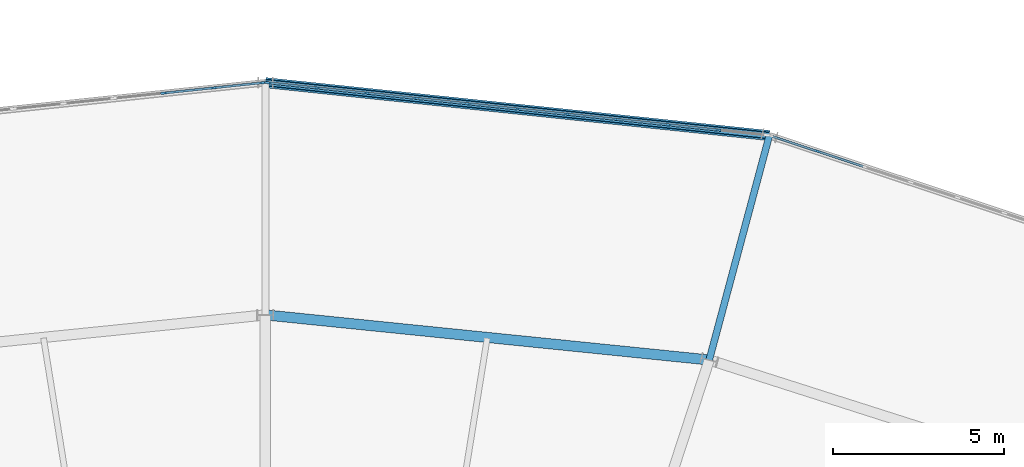
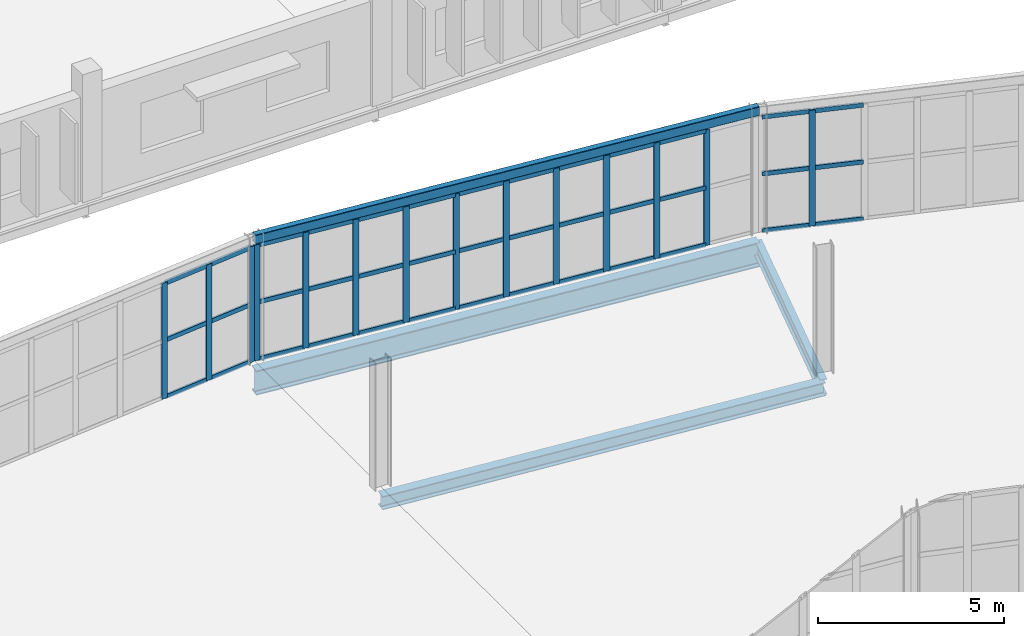
# One storey, part 98 of 161: 53 members, 4 beams, 3 elements without a shape of their own.
"""IFC4 building model written with IfcOpenShell, lengths in metres."""

import ifcopenshell
import ifcopenshell.guid

model = None  # the IFC model being written
_history = None  # IfcOwnerHistory: only IFC2X3 demands one
_inside = {}  # id of a spatial element -> (the spatial element, [elements in it])
_under = {}  # id of a project, library or spatial element -> (it, [spatial elements below it])
_declared = {}  # id of a project -> (the project, [libraries it declares])
_typed = {}  # id of a type object -> (the type object, [elements of that type])
_made_of = {}  # id of a material, layer set ... -> (it, [elements and type objects made of it])


def new_model(schema):
    """Start an empty IFC model of exactly this schema.

    Asked for "IFC4X3", IfcOpenShell would pick the latest addendum, in which some entities
    have other attributes; the version numbers below select the first issue.
    IFC2X3 requires an IfcOwnerHistory on every rooted entity: one is made here for all.
    """
    global model, _history
    if schema == "IFC4X3":
        model = ifcopenshell.file(schema_version=(4, 3, 0, 0))
    else:
        model = ifcopenshell.file(schema=schema)
    _inside.clear()
    _under.clear()
    _declared.clear()
    _typed.clear()
    _made_of.clear()
    _history = None
    if model.schema == "IFC2X3":
        org = make("IfcOrganization", Name="unknown")
        user = make(
            "IfcPersonAndOrganization",
            ThePerson=make("IfcPerson", FamilyName="unknown"),
            TheOrganization=org,
        )
        app = make(
            "IfcApplication",
            ApplicationDeveloper=org,
            Version="unknown",
            ApplicationFullName="unknown",
            ApplicationIdentifier="unknown",
        )
        _history = make(
            "IfcOwnerHistory",
            OwningUser=user,
            OwningApplication=app,
            ChangeAction="ADDED",
            CreationDate=0,
        )
    return model


def make(cls, **values):
    """One entity of the class cls with the attributes given. An attribute that is None is left unset."""
    return model.create_entity(
        cls, **{name: value for name, value in values.items() if value is not None}
    )


def rooted(cls, **values):
    """An entity with a GlobalId (a new one), such as an element, a storey or a relation."""
    return make(cls, GlobalId=ifcopenshell.guid.new(), OwnerHistory=_history, **values)


def si_unit(unit_type, name, prefix=None):
    """IfcSIUnit, for example si_unit("LENGTHUNIT", "METRE", prefix="MILLI")."""
    return make("IfcSIUnit", UnitType=unit_type, Prefix=prefix, Name=name)


def assignment(units):
    """IfcUnitAssignment: the units of a project."""
    return None if units is None else make("IfcUnitAssignment", Units=units)


def point(xyz):
    """IfcCartesianPoint."""
    return None if xyz is None else make("IfcCartesianPoint", Coordinates=xyz)


def direction(xyz):
    """IfcDirection."""
    return None if xyz is None else make("IfcDirection", DirectionRatios=xyz)


def frame(location, z_axis=None, x_axis=None):
    """IfcAxis2Placement3D, a coordinate frame: its origin and axes. An axis left out is left unset."""
    return make(
        "IfcAxis2Placement3D",
        Location=point(location),
        Axis=direction(z_axis),
        RefDirection=direction(x_axis),
    )


def frame_2d(location, x_axis=None):
    """IfcAxis2Placement2D, a coordinate frame in the plane: its origin and x axis."""
    return make(
        "IfcAxis2Placement2D", Location=point(location), RefDirection=direction(x_axis)
    )


def origin():
    """The frame at (0, 0, 0) with its axes left unset."""
    return frame((0.0, 0.0, 0.0))


def origin_2d():
    """The frame at (0, 0) in the plane with its x axis left unset."""
    return frame_2d((0.0, 0.0))


def place(relative_to, where):
    """IfcLocalPlacement: puts the frame where relative to a parent placement (None: the world)."""
    return make(
        "IfcLocalPlacement", PlacementRelTo=relative_to, RelativePlacement=where
    )


def context(
    kind, dimensions, precision=None, world=None, true_north=None, identifier=None
):
    """IfcGeometricRepresentationContext, for example the 3D "Model" context."""
    return make(
        "IfcGeometricRepresentationContext",
        ContextIdentifier=identifier,
        ContextType=kind,
        CoordinateSpaceDimension=dimensions,
        Precision=precision,
        WorldCoordinateSystem=world,
        TrueNorth=true_north,
    )


def subcontext(parent, identifier, kind, view, scale=None):
    """IfcGeometricRepresentationSubContext, for example "Body" below "Model"."""
    return make(
        "IfcGeometricRepresentationSubContext",
        ContextIdentifier=identifier,
        ContextType=kind,
        ParentContext=parent,
        TargetScale=scale,
        TargetView=view,
    )


def project(units=None, contexts=None):
    """IfcProject with its units and contexts."""
    return rooted(
        "IfcProject",
        Name="project",
        RepresentationContexts=contexts,
        UnitsInContext=assignment(units),
    )


def spatial(cls, under=None, at=None, **own):
    """A site, building, storey or space (cls), placed at a placement, below another one or the project."""
    s = rooted(cls, ObjectPlacement=at, **own)
    if under is not None:
        _under.setdefault(under.id(), (under, []))[1].append(s)
    return s


def profile(cls, at=None, kind="AREA", **sizes):
    """A parametric profile (cls). Its sizes go by their IFC names, for example OverallWidth=200.0."""
    return make(cls, ProfileType=kind, Position=at, **sizes)


def rectangle(**sizes):
    """IfcRectangleProfileDef."""
    return profile("IfcRectangleProfileDef", **sizes)


def hollow_rectangle(**sizes):
    """IfcRectangleHollowProfileDef."""
    return profile("IfcRectangleHollowProfileDef", **sizes)


def i_section(**sizes):
    """IfcIShapeProfileDef."""
    return profile("IfcIShapeProfileDef", **sizes)


def extrude(swept, where, along, depth):
    """IfcExtrudedAreaSolid: the profile swept, set in the frame where, extruded along a direction by depth."""
    return make(
        "IfcExtrudedAreaSolid",
        SweptArea=swept,
        Position=where,
        ExtrudedDirection=direction(along),
        Depth=depth,
    )


def shape(context_of_items, identifier, shape_type, items):
    """IfcShapeRepresentation: the items that make up one representation, for example the "Body"."""
    return make(
        "IfcShapeRepresentation",
        ContextOfItems=context_of_items,
        RepresentationIdentifier=identifier,
        RepresentationType=shape_type,
        Items=items,
    )


def material(Name=None, Category=None):
    """IfcMaterial."""
    return make("IfcMaterial", Name=Name, Category=Category)


def material_profile(
    of_material, cross_section, Name=None, Category=None, Priority=None
):
    """IfcMaterialProfile: a cross section and its material."""
    return make(
        "IfcMaterialProfile",
        Name=Name,
        Material=of_material,
        Profile=cross_section,
        Priority=Priority,
        Category=Category,
    )


def profile_set(profiles, Name=None, composite=None):
    """IfcMaterialProfileSet."""
    return make(
        "IfcMaterialProfileSet",
        Name=Name,
        MaterialProfiles=profiles,
        CompositeProfile=composite,
    )


def made_of(thing, what):
    """Note that an element or type object is made of a material, layer set ...; save() writes the relation."""
    if what is not None:
        _made_of.setdefault(what.id(), (what, []))[1].append(thing)
    return thing


def type_object(cls, material=None, **own):
    """A type object (cls), such as IfcWallType, which elements share."""
    return made_of(rooted(cls, **own), material)


def element(
    cls,
    number,
    at=None,
    inside=None,
    cuts=None,
    type_object=None,
    material=None,
    context=None,
    identifier="Body",
    shape_type=None,
    held_by="IfcProductDefinitionShape",
    body=None,
    shapes=None,
    **own,
):
    """One element of the class cls, such as IfcWall. Its Tag is "e" and its number.

    at: its placement. inside: the storey or other place that contains it. cuts: it is an
    opening in that element (IfcRelVoidsElement). A single representation is given by context,
    identifier, shape_type and body (its items); several are given by shapes. held_by: the class
    of the entity that holds the representations. save() writes the other relations.
    """
    e = rooted(cls, Tag="e%d" % number, ObjectPlacement=at, **own)
    if body is not None:
        shapes = [shape(context, identifier, shape_type, body)]
    if shapes is not None:
        e.Representation = make(held_by, Representations=shapes)
    if inside is not None:
        _inside.setdefault(inside.id(), (inside, []))[1].append(e)
    if cuts is not None:
        rooted(
            "IfcRelVoidsElement", RelatingBuildingElement=cuts, RelatedOpeningElement=e
        )
    if type_object is not None:
        _typed.setdefault(type_object.id(), (type_object, []))[1].append(e)
    return made_of(e, material)


def aggregate(whole, parts):
    """IfcRelAggregates: a whole, such as a stair, and the parts it consists of."""
    return rooted("IfcRelAggregates", RelatingObject=whole, RelatedObjects=parts)


def save(model, path):
    """Write the relations noted so far, then the file.

    IfcRelAggregates (storeys below a building ...), IfcRelContainedInSpatialStructure (elements
    in a storey), IfcRelDefinesByType, IfcRelAssociatesMaterial and IfcRelDeclares: one each for
    every whole, place, type object, material and project.
    """
    for whole, parts in _under.values():
        aggregate(whole, parts)
    for where, things in _inside.values():
        rooted(
            "IfcRelContainedInSpatialStructure",
            RelatedElements=things,
            RelatingStructure=where,
        )
    for kind, things in _typed.values():
        rooted("IfcRelDefinesByType", RelatedObjects=things, RelatingType=kind)
    for what, things in _made_of.values():
        rooted("IfcRelAssociatesMaterial", RelatedObjects=things, RelatingMaterial=what)
    for by, libraries in _declared.values():
        rooted("IfcRelDeclares", RelatingContext=by, RelatedDefinitions=libraries)
    model.write(path)


model = new_model("IFC4")

# Units and contexts
model_context = context("Model", 3, precision=1e-05, world=origin(), true_north=direction((0.0, 1.0)))
body_context = subcontext(model_context, "Body", "Model", "MODEL_VIEW")
ifc_project = project(units=[si_unit("LENGTHUNIT", "METRE"), si_unit("AREAUNIT", "SQUARE_METRE"), si_unit("VOLUMEUNIT", "CUBIC_METRE"), si_unit("PLANEANGLEUNIT", "RADIAN"), si_unit("MASSUNIT", "GRAM", prefix="KILO")], contexts=[model_context])

# Site, building, storey
site_placement = place(None, origin())
site = spatial("IfcSite", under=ifc_project, at=site_placement, CompositionType="ELEMENT")
building_placement = place(site_placement, origin())
building = spatial("IfcBuilding", under=site, at=building_placement, Name="Kildeholm Park Wholesale Market", CompositionType="ELEMENT")
storey_placement = place(building_placement, frame((0.0, 0.0, 5.39990234375)))
storey = spatial("IfcBuildingStorey", under=building, at=storey_placement, Name="L01", CompositionType="ELEMENT", Elevation=5.39990234375)

# Beams
ifc_material_1 = material(Name="Steel S355", Category="steel")
ifc_material_profile_1 = material_profile(ifc_material_1, i_section(OverallWidth=0.300048828125, OverallDepth=0.800048828125, WebThickness=0.017578125, FlangeThickness=0.032958984375, FilletRadius=0.030029296875, at=origin_2d()), Name="HEB 800")
ifc_profile_set_1 = profile_set([ifc_material_profile_1], Name="Steel S355")
beam_type_1 = type_object("IfcBeamType", Name="Beam B-G02 HEB 800", PredefinedType="BEAM", material=ifc_profile_set_1)
beam_1_placement = place(storey_placement, frame((113.7529296875, 133.449951171875, -0.64990234375), z_axis=(-0.99452572496, 0.104492020715, 0.0), x_axis=(-0.104492020715, -0.99452572496, 0.0)))
element("IfcBeam", 1, at=beam_1_placement, inside=storey, type_object=beam_type_1, Name="Beam BM-V1-L01-CO-05 BM-0052", PredefinedType="BEAM", context=body_context, shape_type="SweptSolid", body=[
    extrude(i_section(OverallWidth=0.300048828125, OverallDepth=0.800048828125, WebThickness=0.017578125, FlangeThickness=0.032958984375, FilletRadius=0.030029296875, at=origin_2d()), origin(), (0.0, 0.0, 1.0), 14.834228515625),
])
ifc_material_profile_2 = material_profile(ifc_material_1, i_section(OverallWidth=0.199951171875, OverallDepth=0.5, WebThickness=0.01025390625, FlangeThickness=0.01611328125, FilletRadius=0.02099609375, at=origin_2d()), Name="IPE 500")
ifc_profile_set_2 = profile_set([ifc_material_profile_2], Name="Steel S355")
beam_type_2 = type_object("IfcBeamType", Name="Beam B-P03 IPE 500", PredefinedType="BEAM", material=ifc_profile_set_2)
beam_2_placement = place(storey_placement, frame((111.992919921875, 126.881103515625, -0.5), z_axis=(0.258804274594, 0.965929783914, 0.0), x_axis=(-0.965929783914, 0.258804274594, 0.0)))
element("IfcBeam", 2, at=beam_2_placement, inside=storey, type_object=beam_type_2, Name="Beam BM-V1-L01-R2-05 BM-0049", PredefinedType="BEAM", context=body_context, shape_type="SweptSolid", body=[
    extrude(i_section(OverallWidth=0.199951171875, OverallDepth=0.5, WebThickness=0.01025390625, FlangeThickness=0.01611328125, FilletRadius=0.02099609375, at=origin_2d()), origin(), (0.0, 0.0, 1.0), 6.800537109375),
])
ifc_material_profile_3 = material_profile(ifc_material_1, i_section(OverallWidth=0.300048828125, OverallDepth=0.43994140625, WebThickness=0.011474609375, FlangeThickness=0.02099609375, FilletRadius=0.027099609375, at=origin_2d()), Name="HEA 450")
ifc_profile_set_3 = profile_set([ifc_material_profile_3], Name="Steel S355")
beam_type_3 = type_object("IfcBeamType", Name="Beam B-R02 HEA 450", PredefinedType="BEAM", material=ifc_profile_set_3)
beam_3_placement = place(storey_placement, frame((111.992919921875, 126.881103515625, -0.469970703125), z_axis=(-0.994887827563, 0.100986189979, 0.0), x_axis=(-0.100986189979, -0.994887827563, 0.0)))
element("IfcBeam", 3, at=beam_3_placement, inside=storey, type_object=beam_type_3, Name="Beam BM-V1-L01-CM-05 BM-0051", PredefinedType="BEAM", context=body_context, shape_type="SweptSolid", body=[
    extrude(i_section(OverallWidth=0.300048828125, OverallDepth=0.43994140625, WebThickness=0.011474609375, FlangeThickness=0.02099609375, FilletRadius=0.027099609375, at=origin_2d()), origin(), (0.0, 0.0, 1.0), 13.0595703125),
])
ifc_material_profile_4 = material_profile(ifc_material_1, hollow_rectangle(XDim=0.199951171875, YDim=0.300048828125, WallThickness=0.012451171875, InnerFilletRadius=0.012451171875, OuterFilletRadius=0.02490234375, at=origin_2d()), Name="RHS 300x200x12.5")
ifc_profile_set_4 = profile_set([ifc_material_profile_4], Name="Steel S355")
beam_type_4 = type_object("IfcBeamType", Name="Beam SP-01 RHS 300x200x12.5", PredefinedType="SPANDREL", material=ifc_profile_set_4)
beam_4_placement = place(storey_placement, frame((113.7529296875, 133.449951171875, 4.02294921875), z_axis=(-0.99452572496, 0.104492020715, 0.0), x_axis=(-0.104492020715, -0.99452572496, 0.0)))
element("IfcBeam", 4, at=beam_4_placement, inside=storey, type_object=beam_type_4, Name="Beam SP-V1-EAV-05 BM-0250", PredefinedType="SPANDREL", context=body_context, shape_type="SweptSolid", body=[
    extrude(hollow_rectangle(XDim=0.199951171875, YDim=0.300048828125, WallThickness=0.012451171875, InnerFilletRadius=0.012451171875, OuterFilletRadius=0.02490234375, at=origin_2d()), origin(), (0.0, 0.0, 1.0), 14.834228515625),
])

# Curtain wall, member
ifc_material_2 = material(Name="Anodised aluminium and low-E double-glazed glass", Category="aluminium")
curtain_wall_type = type_object("IfcCurtainWallType", Name="Market hall glazed arcade stick curtain wall CW-01", PredefinedType="NOTDEFINED", material=ifc_material_2)
curtain_wall_1_placement = place(storey_placement, origin())
curtain_wall_1 = element("IfcCurtainWall", 5, at=curtain_wall_1_placement, inside=storey, type_object=curtain_wall_type, Name="Curtain wall CW-V1-OT-04-1 CW-0021", PredefinedType="NOTDEFINED")
ifc_material_3 = material(Name="Anodised aluminium", Category="aluminium")
ifc_material_profile_5 = material_profile(ifc_material_3, rectangle(XDim=0.06494140625, YDim=0.179931640625, at=origin_2d()), Name="CWM 65x180")
ifc_profile_set_5 = profile_set([ifc_material_profile_5], Name="Anodised aluminium")
member_type_1 = type_object("IfcMemberType", Name="Curtain-wall mullion CWM-1 CWM 65x180", PredefinedType="MULLION", material=ifc_profile_set_5)
member_1_placement = place(storey_placement, frame((115.16015625, 132.989013671875, 0.0), z_axis=(0.0, 0.0, 1.0), x_axis=(-0.313914140335, -0.949451374478, 0.0)))
member_1 = element("IfcMember", 6, at=member_1_placement, type_object=member_type_1, Name="CW-01 mullion 10 MEM-0927", PredefinedType="MULLION", context=body_context, shape_type="SweptSolid", body=[
    extrude(rectangle(XDim=0.06494140625, YDim=0.179931640625, at=origin_2d()), origin(), (0.0, 0.0, 1.0), 3.800048828125),
])

# Curtain wall, members
curtain_wall_2_placement = place(storey_placement, origin())
curtain_wall_2 = element("IfcCurtainWall", 7, at=curtain_wall_2_placement, inside=storey, type_object=curtain_wall_type, Name="Curtain wall CW-V1-OT-05-1 CW-0026", PredefinedType="NOTDEFINED")
member_2_placement = place(storey_placement, frame((112.24658203125, 133.6123046875, 0.0), z_axis=(0.0, 0.0, 1.0), x_axis=(-0.104508383308, -0.994524005652, 0.0)))
member_2 = element("IfcMember", 8, at=member_2_placement, type_object=member_type_1, Name="CW-01 mullion 2 MEM-1068", PredefinedType="MULLION", context=body_context, shape_type="SweptSolid", body=[
    extrude(rectangle(XDim=0.06494140625, YDim=0.179931640625, at=origin_2d()), origin(), (0.0, 0.0, 1.0), 3.800048828125),
])
member_3_placement = place(storey_placement, frame((110.779296875, 133.766357421875, 0.0), z_axis=(0.0, 0.0, 1.0), x_axis=(-0.104508383308, -0.994524005652, 0.0)))
member_3 = element("IfcMember", 9, at=member_3_placement, type_object=member_type_1, Name="CW-01 mullion 3 MEM-1069", PredefinedType="MULLION", context=body_context, shape_type="SweptSolid", body=[
    extrude(rectangle(XDim=0.06494140625, YDim=0.179931640625, at=origin_2d()), origin(), (0.0, 0.0, 1.0), 3.800048828125),
])
member_4_placement = place(storey_placement, frame((109.311767578125, 133.920654296875, 0.0), z_axis=(0.0, 0.0, 1.0), x_axis=(-0.104508383308, -0.994524005652, 0.0)))
member_4 = element("IfcMember", 10, at=member_4_placement, type_object=member_type_1, Name="CW-01 mullion 4 MEM-1070", PredefinedType="MULLION", context=body_context, shape_type="SweptSolid", body=[
    extrude(rectangle(XDim=0.06494140625, YDim=0.179931640625, at=origin_2d()), origin(), (0.0, 0.0, 1.0), 3.800048828125),
])
member_5_placement = place(storey_placement, frame((107.844482421875, 134.07470703125, 0.0), z_axis=(0.0, 0.0, 1.0), x_axis=(-0.104508383308, -0.994524005652, 0.0)))
member_5 = element("IfcMember", 11, at=member_5_placement, type_object=member_type_1, Name="CW-01 mullion 5 MEM-1071", PredefinedType="MULLION", context=body_context, shape_type="SweptSolid", body=[
    extrude(rectangle(XDim=0.06494140625, YDim=0.179931640625, at=origin_2d()), origin(), (0.0, 0.0, 1.0), 3.800048828125),
])
member_6_placement = place(storey_placement, frame((106.376953125, 134.22900390625, 0.0), z_axis=(0.0, 0.0, 1.0), x_axis=(-0.104508383308, -0.994524005652, 0.0)))
member_6 = element("IfcMember", 12, at=member_6_placement, type_object=member_type_1, Name="CW-01 mullion 6 MEM-1072", PredefinedType="MULLION", context=body_context, shape_type="SweptSolid", body=[
    extrude(rectangle(XDim=0.06494140625, YDim=0.179931640625, at=origin_2d()), origin(), (0.0, 0.0, 1.0), 3.800048828125),
])
member_7_placement = place(storey_placement, frame((104.90966796875, 134.38330078125, 0.0), z_axis=(0.0, 0.0, 1.0), x_axis=(-0.104508383308, -0.994524005652, 0.0)))
member_7 = element("IfcMember", 13, at=member_7_placement, type_object=member_type_1, Name="CW-01 mullion 7 MEM-1073", PredefinedType="MULLION", context=body_context, shape_type="SweptSolid", body=[
    extrude(rectangle(XDim=0.06494140625, YDim=0.179931640625, at=origin_2d()), origin(), (0.0, 0.0, 1.0), 3.800048828125),
])
member_8_placement = place(storey_placement, frame((103.442138671875, 134.537353515625, 0.0), z_axis=(0.0, 0.0, 1.0), x_axis=(-0.104508383308, -0.994524005652, 0.0)))
member_8 = element("IfcMember", 14, at=member_8_placement, type_object=member_type_1, Name="CW-01 mullion 8 MEM-1074", PredefinedType="MULLION", context=body_context, shape_type="SweptSolid", body=[
    extrude(rectangle(XDim=0.06494140625, YDim=0.179931640625, at=origin_2d()), origin(), (0.0, 0.0, 1.0), 3.800048828125),
])
member_9_placement = place(storey_placement, frame((101.974853515625, 134.691650390625, 0.0), z_axis=(0.0, 0.0, 1.0), x_axis=(-0.104508383308, -0.994524005652, 0.0)))
member_9 = element("IfcMember", 15, at=member_9_placement, type_object=member_type_1, Name="CW-01 mullion 9 MEM-1075", PredefinedType="MULLION", context=body_context, shape_type="SweptSolid", body=[
    extrude(rectangle(XDim=0.06494140625, YDim=0.179931640625, at=origin_2d()), origin(), (0.0, 0.0, 1.0), 3.800048828125),
])
member_10_placement = place(storey_placement, frame((100.50732421875, 134.845703125, 0.0), z_axis=(0.0, 0.0, 1.0), x_axis=(-0.104508383308, -0.994524005652, 0.0)))
member_10 = element("IfcMember", 16, at=member_10_placement, type_object=member_type_1, Name="CW-01 mullion 10 MEM-1076", PredefinedType="MULLION", context=body_context, shape_type="SweptSolid", body=[
    extrude(rectangle(XDim=0.06494140625, YDim=0.179931640625, at=origin_2d()), origin(), (0.0, 0.0, 1.0), 3.800048828125),
])
member_11_placement = place(storey_placement, frame((99.072265625, 134.99658203125, 0.0), z_axis=(0.0, 0.0, 1.0), x_axis=(-0.104508383308, -0.994524005652, 0.0)))
member_11 = element("IfcMember", 17, at=member_11_placement, type_object=member_type_1, Name="CW-01 mullion 11 MEM-1077", PredefinedType="MULLION", context=body_context, shape_type="SweptSolid", body=[
    extrude(rectangle(XDim=0.06494140625, YDim=0.179931640625, at=origin_2d()), origin(), (0.0, 0.0, 1.0), 3.800048828125),
])

curtain_wall_3_placement = place(storey_placement, origin())
curtain_wall_3 = element("IfcCurtainWall", 18, at=curtain_wall_3_placement, inside=storey, type_object=curtain_wall_type, Name="Curtain wall CW-V1-OT-06-1 CW-0030", PredefinedType="NOTDEFINED")
member_12_placement = place(storey_placement, frame((98.927734375, 134.99658203125, 0.0), z_axis=(0.0, 0.0, 1.0), x_axis=(0.104508383308, -0.994524005652, 0.0)))
member_12 = element("IfcMember", 19, at=member_12_placement, type_object=member_type_1, Name="CW-01 mullion 1 MEM-1195", PredefinedType="MULLION", context=body_context, shape_type="SweptSolid", body=[
    extrude(rectangle(XDim=0.06494140625, YDim=0.179931640625, at=origin_2d()), origin(), (0.0, 0.0, 1.0), 3.800048828125),
])
member_13_placement = place(storey_placement, frame((97.49267578125, 134.845703125, 0.0), z_axis=(0.0, 0.0, 1.0), x_axis=(0.104508383308, -0.994524005652, 0.0)))
member_13 = element("IfcMember", 20, at=member_13_placement, type_object=member_type_1, Name="CW-01 mullion 2 MEM-1196", PredefinedType="MULLION", context=body_context, shape_type="SweptSolid", body=[
    extrude(rectangle(XDim=0.06494140625, YDim=0.179931640625, at=origin_2d()), origin(), (0.0, 0.0, 1.0), 3.800048828125),
])
member_14_placement = place(storey_placement, frame((96.025146484375, 134.691650390625, 0.0), z_axis=(0.0, 0.0, 1.0), x_axis=(0.104508383308, -0.994524005652, 0.0)))
member_14 = element("IfcMember", 21, at=member_14_placement, type_object=member_type_1, Name="CW-01 mullion 3 MEM-1197", PredefinedType="MULLION", context=body_context, shape_type="SweptSolid", body=[
    extrude(rectangle(XDim=0.06494140625, YDim=0.179931640625, at=origin_2d()), origin(), (0.0, 0.0, 1.0), 3.800048828125),
])

# Member
ifc_material_profile_6 = material_profile(ifc_material_3, rectangle(XDim=0.06494140625, YDim=0.139892578125, at=origin_2d()), Name="CWT 65x140")
ifc_profile_set_6 = profile_set([ifc_material_profile_6], Name="Anodised aluminium")
member_type_2 = type_object("IfcMemberType", Name="Curtain-wall transom CWT-1 CWT 65x140", PredefinedType="USERDEFINED", material=ifc_profile_set_6)
member_15_placement = place(storey_placement, frame((116.496337890625, 132.547119140625, 0.03271484375), z_axis=(-0.949444065444, 0.313936246064, 0.0), x_axis=(-0.313936246064, -0.949444065444, 0.0)))
member_15 = element("IfcMember", 22, at=member_15_placement, type_object=member_type_2, Name="CW-01 transom 9.1 MEM-0953", ObjectType="TRANSOM", PredefinedType="USERDEFINED", context=body_context, shape_type="SweptSolid", body=[
    extrude(rectangle(XDim=0.06494140625, YDim=0.139892578125, at=origin_2d()), origin(), (0.0, 0.0, 1.0), 1.375),
])

member_16_placement = place(storey_placement, frame((116.496337890625, 132.547119140625, 1.900146484375), z_axis=(-0.949444065444, 0.313936246064, 0.0), x_axis=(-0.313936246064, -0.949444065444, 0.0)))
member_16 = element("IfcMember", 23, at=member_16_placement, type_object=member_type_2, Name="CW-01 transom 9.2 MEM-0954", ObjectType="TRANSOM", PredefinedType="USERDEFINED", context=body_context, shape_type="SweptSolid", body=[
    extrude(rectangle(XDim=0.06494140625, YDim=0.139892578125, at=origin_2d()), origin(), (0.0, 0.0, 1.0), 1.375),
])

member_17_placement = place(storey_placement, frame((116.496337890625, 132.547119140625, 3.767578125), z_axis=(-0.949444065444, 0.313936246064, 0.0), x_axis=(-0.313936246064, -0.949444065444, 0.0)))
member_17 = element("IfcMember", 24, at=member_17_placement, type_object=member_type_2, Name="CW-01 transom 9.3 MEM-0955", ObjectType="TRANSOM", PredefinedType="USERDEFINED", context=body_context, shape_type="SweptSolid", body=[
    extrude(rectangle(XDim=0.06494140625, YDim=0.139892578125, at=origin_2d()), origin(), (0.0, 0.0, 1.0), 1.375),
])

member_18_placement = place(storey_placement, frame((115.129150390625, 132.999267578125, 0.03271484375), z_axis=(-0.94944445073, 0.313935080835, 0.0), x_axis=(-0.313935080835, -0.94944445073, 0.0)))
member_18 = element("IfcMember", 25, at=member_18_placement, type_object=member_type_2, Name="CW-01 transom 10.1 MEM-0956", ObjectType="TRANSOM", PredefinedType="USERDEFINED", context=body_context, shape_type="SweptSolid", body=[
    extrude(rectangle(XDim=0.06494140625, YDim=0.139892578125, at=origin_2d()), origin(), (0.0, 0.0, 1.0), 1.34228515625),
])

member_19_placement = place(storey_placement, frame((115.129150390625, 132.999267578125, 1.900146484375), z_axis=(-0.94944445073, 0.313935080835, 0.0), x_axis=(-0.313935080835, -0.94944445073, 0.0)))
member_19 = element("IfcMember", 26, at=member_19_placement, type_object=member_type_2, Name="CW-01 transom 10.2 MEM-0957", ObjectType="TRANSOM", PredefinedType="USERDEFINED", context=body_context, shape_type="SweptSolid", body=[
    extrude(rectangle(XDim=0.06494140625, YDim=0.139892578125, at=origin_2d()), origin(), (0.0, 0.0, 1.0), 1.34228515625),
])

member_20_placement = place(storey_placement, frame((115.129150390625, 132.999267578125, 3.767578125), z_axis=(-0.94944445073, 0.313935080835, 0.0), x_axis=(-0.313935080835, -0.94944445073, 0.0)))
member_20 = element("IfcMember", 27, at=member_20_placement, type_object=member_type_2, Name="CW-01 transom 10.3 MEM-0958", ObjectType="TRANSOM", PredefinedType="USERDEFINED", context=body_context, shape_type="SweptSolid", body=[
    extrude(rectangle(XDim=0.06494140625, YDim=0.139892578125, at=origin_2d()), origin(), (0.0, 0.0, 1.0), 1.34228515625),
])

aggregate(curtain_wall_1, [member_1, member_15, member_16, member_17, member_18, member_19, member_20])

member_21_placement = place(storey_placement, frame((112.21435546875, 133.615478515625, 0.03271484375), z_axis=(-0.994520616656, 0.104540628691, 0.0), x_axis=(-0.104540628691, -0.994520616656, 0.0)))
member_21 = element("IfcMember", 28, at=member_21_placement, type_object=member_type_2, Name="CW-01 transom 2.1 MEM-1081", ObjectType="TRANSOM", PredefinedType="USERDEFINED", context=body_context, shape_type="SweptSolid", body=[
    extrude(rectangle(XDim=0.06494140625, YDim=0.139892578125, at=origin_2d()), origin(), (0.0, 0.0, 1.0), 1.41064453125),
])

member_22_placement = place(storey_placement, frame((112.21435546875, 133.615478515625, 1.900146484375), z_axis=(-0.994520616656, 0.104540628691, 0.0), x_axis=(-0.104540628691, -0.994520616656, 0.0)))
member_22 = element("IfcMember", 29, at=member_22_placement, type_object=member_type_2, Name="CW-01 transom 2.2 MEM-1082", ObjectType="TRANSOM", PredefinedType="USERDEFINED", context=body_context, shape_type="SweptSolid", body=[
    extrude(rectangle(XDim=0.06494140625, YDim=0.139892578125, at=origin_2d()), origin(), (0.0, 0.0, 1.0), 1.41064453125),
])

member_23_placement = place(storey_placement, frame((112.21435546875, 133.615478515625, 3.767578125), z_axis=(-0.994520616656, 0.104540628691, 0.0), x_axis=(-0.104540628691, -0.994520616656, 0.0)))
member_23 = element("IfcMember", 30, at=member_23_placement, type_object=member_type_2, Name="CW-01 transom 2.3 MEM-1083", ObjectType="TRANSOM", PredefinedType="USERDEFINED", context=body_context, shape_type="SweptSolid", body=[
    extrude(rectangle(XDim=0.06494140625, YDim=0.139892578125, at=origin_2d()), origin(), (0.0, 0.0, 1.0), 1.41064453125),
])

member_24_placement = place(storey_placement, frame((110.746826171875, 133.769775390625, 0.03271484375), z_axis=(-0.994518724615, 0.104558626574, 0.0), x_axis=(-0.104558626574, -0.994518724615, 0.0)))
member_24 = element("IfcMember", 31, at=member_24_placement, type_object=member_type_2, Name="CW-01 transom 3.1 MEM-1084", ObjectType="TRANSOM", PredefinedType="USERDEFINED", context=body_context, shape_type="SweptSolid", body=[
    extrude(rectangle(XDim=0.06494140625, YDim=0.139892578125, at=origin_2d()), origin(), (0.0, 0.0, 1.0), 1.410400390625),
])

member_25_placement = place(storey_placement, frame((110.746826171875, 133.769775390625, 1.900146484375), z_axis=(-0.994518724615, 0.104558626574, 0.0), x_axis=(-0.104558626574, -0.994518724615, 0.0)))
member_25 = element("IfcMember", 32, at=member_25_placement, type_object=member_type_2, Name="CW-01 transom 3.2 MEM-1085", ObjectType="TRANSOM", PredefinedType="USERDEFINED", context=body_context, shape_type="SweptSolid", body=[
    extrude(rectangle(XDim=0.06494140625, YDim=0.139892578125, at=origin_2d()), origin(), (0.0, 0.0, 1.0), 1.410400390625),
])

member_26_placement = place(storey_placement, frame((110.746826171875, 133.769775390625, 3.767578125), z_axis=(-0.994518724615, 0.104558626574, 0.0), x_axis=(-0.104558626574, -0.994518724615, 0.0)))
member_26 = element("IfcMember", 33, at=member_26_placement, type_object=member_type_2, Name="CW-01 transom 3.3 MEM-1086", ObjectType="TRANSOM", PredefinedType="USERDEFINED", context=body_context, shape_type="SweptSolid", body=[
    extrude(rectangle(XDim=0.06494140625, YDim=0.139892578125, at=origin_2d()), origin(), (0.0, 0.0, 1.0), 1.410400390625),
])

member_27_placement = place(storey_placement, frame((109.279541015625, 133.924072265625, 0.03271484375), z_axis=(-0.994538597049, 0.104369435089, 0.0), x_axis=(-0.104369435089, -0.994538597049, 0.0)))
member_27 = element("IfcMember", 34, at=member_27_placement, type_object=member_type_2, Name="CW-01 transom 4.1 MEM-1087", ObjectType="TRANSOM", PredefinedType="USERDEFINED", context=body_context, shape_type="SweptSolid", body=[
    extrude(rectangle(XDim=0.06494140625, YDim=0.139892578125, at=origin_2d()), origin(), (0.0, 0.0, 1.0), 1.41064453125),
])

member_28_placement = place(storey_placement, frame((109.279541015625, 133.924072265625, 1.900146484375), z_axis=(-0.994538597049, 0.104369435089, 0.0), x_axis=(-0.104369435089, -0.994538597049, 0.0)))
member_28 = element("IfcMember", 35, at=member_28_placement, type_object=member_type_2, Name="CW-01 transom 4.2 MEM-1088", ObjectType="TRANSOM", PredefinedType="USERDEFINED", context=body_context, shape_type="SweptSolid", body=[
    extrude(rectangle(XDim=0.06494140625, YDim=0.139892578125, at=origin_2d()), origin(), (0.0, 0.0, 1.0), 1.41064453125),
])

member_29_placement = place(storey_placement, frame((109.279541015625, 133.924072265625, 3.767578125), z_axis=(-0.994538597049, 0.104369435089, 0.0), x_axis=(-0.104369435089, -0.994538597049, 0.0)))
member_29 = element("IfcMember", 36, at=member_29_placement, type_object=member_type_2, Name="CW-01 transom 4.3 MEM-1089", ObjectType="TRANSOM", PredefinedType="USERDEFINED", context=body_context, shape_type="SweptSolid", body=[
    extrude(rectangle(XDim=0.06494140625, YDim=0.139892578125, at=origin_2d()), origin(), (0.0, 0.0, 1.0), 1.41064453125),
])

member_30_placement = place(storey_placement, frame((107.81201171875, 134.078125, 0.03271484375), z_axis=(-0.994518724615, 0.104558626574, 0.0), x_axis=(-0.104558626574, -0.994518724615, 0.0)))
member_30 = element("IfcMember", 37, at=member_30_placement, type_object=member_type_2, Name="CW-01 transom 5.1 MEM-1090", ObjectType="TRANSOM", PredefinedType="USERDEFINED", context=body_context, shape_type="SweptSolid", body=[
    extrude(rectangle(XDim=0.06494140625, YDim=0.139892578125, at=origin_2d()), origin(), (0.0, 0.0, 1.0), 1.410400390625),
])

member_31_placement = place(storey_placement, frame((107.81201171875, 134.078125, 1.900146484375), z_axis=(-0.994518724615, 0.104558626574, 0.0), x_axis=(-0.104558626574, -0.994518724615, 0.0)))
member_31 = element("IfcMember", 38, at=member_31_placement, type_object=member_type_2, Name="CW-01 transom 5.2 MEM-1091", ObjectType="TRANSOM", PredefinedType="USERDEFINED", context=body_context, shape_type="SweptSolid", body=[
    extrude(rectangle(XDim=0.06494140625, YDim=0.139892578125, at=origin_2d()), origin(), (0.0, 0.0, 1.0), 1.410400390625),
])

member_32_placement = place(storey_placement, frame((107.81201171875, 134.078125, 3.767578125), z_axis=(-0.994518724615, 0.104558626574, 0.0), x_axis=(-0.104558626574, -0.994518724615, 0.0)))
member_32 = element("IfcMember", 39, at=member_32_placement, type_object=member_type_2, Name="CW-01 transom 5.3 MEM-1092", ObjectType="TRANSOM", PredefinedType="USERDEFINED", context=body_context, shape_type="SweptSolid", body=[
    extrude(rectangle(XDim=0.06494140625, YDim=0.139892578125, at=origin_2d()), origin(), (0.0, 0.0, 1.0), 1.410400390625),
])

member_33_placement = place(storey_placement, frame((106.3447265625, 134.232421875, 0.03271484375), z_axis=(-0.994520616656, 0.104540628691, 0.0), x_axis=(-0.104540628691, -0.994520616656, 0.0)))
member_33 = element("IfcMember", 40, at=member_33_placement, type_object=member_type_2, Name="CW-01 transom 6.1 MEM-1093", ObjectType="TRANSOM", PredefinedType="USERDEFINED", context=body_context, shape_type="SweptSolid", body=[
    extrude(rectangle(XDim=0.06494140625, YDim=0.139892578125, at=origin_2d()), origin(), (0.0, 0.0, 1.0), 1.41064453125),
])

member_34_placement = place(storey_placement, frame((106.3447265625, 134.232421875, 1.900146484375), z_axis=(-0.994520616656, 0.104540628691, 0.0), x_axis=(-0.104540628691, -0.994520616656, 0.0)))
member_34 = element("IfcMember", 41, at=member_34_placement, type_object=member_type_2, Name="CW-01 transom 6.2 MEM-1094", ObjectType="TRANSOM", PredefinedType="USERDEFINED", context=body_context, shape_type="SweptSolid", body=[
    extrude(rectangle(XDim=0.06494140625, YDim=0.139892578125, at=origin_2d()), origin(), (0.0, 0.0, 1.0), 1.41064453125),
])

member_35_placement = place(storey_placement, frame((106.3447265625, 134.232421875, 3.767578125), z_axis=(-0.994520616656, 0.104540628691, 0.0), x_axis=(-0.104540628691, -0.994520616656, 0.0)))
member_35 = element("IfcMember", 42, at=member_35_placement, type_object=member_type_2, Name="CW-01 transom 6.3 MEM-1095", ObjectType="TRANSOM", PredefinedType="USERDEFINED", context=body_context, shape_type="SweptSolid", body=[
    extrude(rectangle(XDim=0.06494140625, YDim=0.139892578125, at=origin_2d()), origin(), (0.0, 0.0, 1.0), 1.41064453125),
])

member_36_placement = place(storey_placement, frame((104.877197265625, 134.386474609375, 0.03271484375), z_axis=(-0.994518724615, 0.104558626574, 0.0), x_axis=(-0.104558626574, -0.994518724615, 0.0)))
member_36 = element("IfcMember", 43, at=member_36_placement, type_object=member_type_2, Name="CW-01 transom 7.1 MEM-1096", ObjectType="TRANSOM", PredefinedType="USERDEFINED", context=body_context, shape_type="SweptSolid", body=[
    extrude(rectangle(XDim=0.06494140625, YDim=0.139892578125, at=origin_2d()), origin(), (0.0, 0.0, 1.0), 1.410400390625),
])

member_37_placement = place(storey_placement, frame((104.877197265625, 134.386474609375, 1.900146484375), z_axis=(-0.994518724615, 0.104558626574, 0.0), x_axis=(-0.104558626574, -0.994518724615, 0.0)))
member_37 = element("IfcMember", 44, at=member_37_placement, type_object=member_type_2, Name="CW-01 transom 7.2 MEM-1097", ObjectType="TRANSOM", PredefinedType="USERDEFINED", context=body_context, shape_type="SweptSolid", body=[
    extrude(rectangle(XDim=0.06494140625, YDim=0.139892578125, at=origin_2d()), origin(), (0.0, 0.0, 1.0), 1.410400390625),
])

member_38_placement = place(storey_placement, frame((104.877197265625, 134.386474609375, 3.767578125), z_axis=(-0.994518724615, 0.104558626574, 0.0), x_axis=(-0.104558626574, -0.994518724615, 0.0)))
member_38 = element("IfcMember", 45, at=member_38_placement, type_object=member_type_2, Name="CW-01 transom 7.3 MEM-1098", ObjectType="TRANSOM", PredefinedType="USERDEFINED", context=body_context, shape_type="SweptSolid", body=[
    extrude(rectangle(XDim=0.06494140625, YDim=0.139892578125, at=origin_2d()), origin(), (0.0, 0.0, 1.0), 1.410400390625),
])

member_39_placement = place(storey_placement, frame((103.409912109375, 134.540771484375, 0.03271484375), z_axis=(-0.994520616656, 0.104540628691, 0.0), x_axis=(-0.104540628691, -0.994520616656, 0.0)))
member_39 = element("IfcMember", 46, at=member_39_placement, type_object=member_type_2, Name="CW-01 transom 8.1 MEM-1099", ObjectType="TRANSOM", PredefinedType="USERDEFINED", context=body_context, shape_type="SweptSolid", body=[
    extrude(rectangle(XDim=0.06494140625, YDim=0.139892578125, at=origin_2d()), origin(), (0.0, 0.0, 1.0), 1.41064453125),
])

member_40_placement = place(storey_placement, frame((103.409912109375, 134.540771484375, 1.900146484375), z_axis=(-0.994520616656, 0.104540628691, 0.0), x_axis=(-0.104540628691, -0.994520616656, 0.0)))
member_40 = element("IfcMember", 47, at=member_40_placement, type_object=member_type_2, Name="CW-01 transom 8.2 MEM-1100", ObjectType="TRANSOM", PredefinedType="USERDEFINED", context=body_context, shape_type="SweptSolid", body=[
    extrude(rectangle(XDim=0.06494140625, YDim=0.139892578125, at=origin_2d()), origin(), (0.0, 0.0, 1.0), 1.41064453125),
])

member_41_placement = place(storey_placement, frame((103.409912109375, 134.540771484375, 3.767578125), z_axis=(-0.994520616656, 0.104540628691, 0.0), x_axis=(-0.104540628691, -0.994520616656, 0.0)))
member_41 = element("IfcMember", 48, at=member_41_placement, type_object=member_type_2, Name="CW-01 transom 8.3 MEM-1101", ObjectType="TRANSOM", PredefinedType="USERDEFINED", context=body_context, shape_type="SweptSolid", body=[
    extrude(rectangle(XDim=0.06494140625, YDim=0.139892578125, at=origin_2d()), origin(), (0.0, 0.0, 1.0), 1.41064453125),
])

member_42_placement = place(storey_placement, frame((101.9423828125, 134.695068359375, 0.03271484375), z_axis=(-0.994536711165, 0.104387404148, 0.0), x_axis=(-0.104387404148, -0.994536711165, 0.0)))
member_42 = element("IfcMember", 49, at=member_42_placement, type_object=member_type_2, Name="CW-01 transom 9.1 MEM-1102", ObjectType="TRANSOM", PredefinedType="USERDEFINED", context=body_context, shape_type="SweptSolid", body=[
    extrude(rectangle(XDim=0.06494140625, YDim=0.139892578125, at=origin_2d()), origin(), (0.0, 0.0, 1.0), 1.410400390625),
])

member_43_placement = place(storey_placement, frame((101.9423828125, 134.695068359375, 1.900146484375), z_axis=(-0.994536711165, 0.104387404148, 0.0), x_axis=(-0.104387404148, -0.994536711165, 0.0)))
member_43 = element("IfcMember", 50, at=member_43_placement, type_object=member_type_2, Name="CW-01 transom 9.2 MEM-1103", ObjectType="TRANSOM", PredefinedType="USERDEFINED", context=body_context, shape_type="SweptSolid", body=[
    extrude(rectangle(XDim=0.06494140625, YDim=0.139892578125, at=origin_2d()), origin(), (0.0, 0.0, 1.0), 1.410400390625),
])

member_44_placement = place(storey_placement, frame((101.9423828125, 134.695068359375, 3.767578125), z_axis=(-0.994536711165, 0.104387404148, 0.0), x_axis=(-0.104387404148, -0.994536711165, 0.0)))
member_44 = element("IfcMember", 51, at=member_44_placement, type_object=member_type_2, Name="CW-01 transom 9.3 MEM-1104", ObjectType="TRANSOM", PredefinedType="USERDEFINED", context=body_context, shape_type="SweptSolid", body=[
    extrude(rectangle(XDim=0.06494140625, YDim=0.139892578125, at=origin_2d()), origin(), (0.0, 0.0, 1.0), 1.410400390625),
])

member_45_placement = place(storey_placement, frame((100.47509765625, 134.84912109375, 0.03271484375), z_axis=(-0.994520975712, 0.10453721284, 0.0), x_axis=(-0.10453721284, -0.994520975712, 0.0)))
member_45 = element("IfcMember", 52, at=member_45_placement, type_object=member_type_2, Name="CW-01 transom 10.1 MEM-1105", ObjectType="TRANSOM", PredefinedType="USERDEFINED", context=body_context, shape_type="SweptSolid", body=[
    extrude(rectangle(XDim=0.06494140625, YDim=0.139892578125, at=origin_2d()), origin(), (0.0, 0.0, 1.0), 1.3779296875),
])

member_46_placement = place(storey_placement, frame((100.47509765625, 134.84912109375, 1.900146484375), z_axis=(-0.994520975712, 0.10453721284, 0.0), x_axis=(-0.10453721284, -0.994520975712, 0.0)))
member_46 = element("IfcMember", 53, at=member_46_placement, type_object=member_type_2, Name="CW-01 transom 10.2 MEM-1106", ObjectType="TRANSOM", PredefinedType="USERDEFINED", context=body_context, shape_type="SweptSolid", body=[
    extrude(rectangle(XDim=0.06494140625, YDim=0.139892578125, at=origin_2d()), origin(), (0.0, 0.0, 1.0), 1.3779296875),
])

member_47_placement = place(storey_placement, frame((100.47509765625, 134.84912109375, 3.767578125), z_axis=(-0.994520975712, 0.10453721284, 0.0), x_axis=(-0.10453721284, -0.994520975712, 0.0)))
member_47 = element("IfcMember", 54, at=member_47_placement, type_object=member_type_2, Name="CW-01 transom 10.3 MEM-1107", ObjectType="TRANSOM", PredefinedType="USERDEFINED", context=body_context, shape_type="SweptSolid", body=[
    extrude(rectangle(XDim=0.06494140625, YDim=0.139892578125, at=origin_2d()), origin(), (0.0, 0.0, 1.0), 1.3779296875),
])

aggregate(curtain_wall_2, [member_2, member_3, member_4, member_5, member_6, member_7, member_8, member_9, member_10, member_11, member_21, member_22, member_23, member_24, member_25, member_26, member_27, member_28, member_29, member_30, member_31, member_32, member_33, member_34, member_35, member_36, member_37, member_38, member_39, member_40, member_41, member_42, member_43, member_44, member_45, member_46, member_47])

member_48_placement = place(storey_placement, frame((98.895263671875, 134.9931640625, 0.03271484375), z_axis=(-0.994520975712, -0.10453721284, 0.0), x_axis=(0.10453721284, -0.994520975712, 0.0)))
member_48 = element("IfcMember", 55, at=member_48_placement, type_object=member_type_2, Name="CW-01 transom 1.1 MEM-1206", ObjectType="TRANSOM", PredefinedType="USERDEFINED", context=body_context, shape_type="SweptSolid", body=[
    extrude(rectangle(XDim=0.06494140625, YDim=0.139892578125, at=origin_2d()), origin(), (0.0, 0.0, 1.0), 1.3779296875),
])

member_49_placement = place(storey_placement, frame((98.895263671875, 134.9931640625, 1.900146484375), z_axis=(-0.994520975712, -0.10453721284, 0.0), x_axis=(0.10453721284, -0.994520975712, 0.0)))
member_49 = element("IfcMember", 56, at=member_49_placement, type_object=member_type_2, Name="CW-01 transom 1.2 MEM-1207", ObjectType="TRANSOM", PredefinedType="USERDEFINED", context=body_context, shape_type="SweptSolid", body=[
    extrude(rectangle(XDim=0.06494140625, YDim=0.139892578125, at=origin_2d()), origin(), (0.0, 0.0, 1.0), 1.3779296875),
])

member_50_placement = place(storey_placement, frame((98.895263671875, 134.9931640625, 3.767578125), z_axis=(-0.994520975712, -0.10453721284, 0.0), x_axis=(0.10453721284, -0.994520975712, 0.0)))
member_50 = element("IfcMember", 57, at=member_50_placement, type_object=member_type_2, Name="CW-01 transom 1.3 MEM-1208", ObjectType="TRANSOM", PredefinedType="USERDEFINED", context=body_context, shape_type="SweptSolid", body=[
    extrude(rectangle(XDim=0.06494140625, YDim=0.139892578125, at=origin_2d()), origin(), (0.0, 0.0, 1.0), 1.3779296875),
])

member_51_placement = place(storey_placement, frame((97.460205078125, 134.84228515625, 0.03271484375), z_axis=(-0.994536711165, -0.104387404148, 0.0), x_axis=(0.104387404148, -0.994536711165, 0.0)))
member_51 = element("IfcMember", 58, at=member_51_placement, type_object=member_type_2, Name="CW-01 transom 2.1 MEM-1209", ObjectType="TRANSOM", PredefinedType="USERDEFINED", context=body_context, shape_type="SweptSolid", body=[
    extrude(rectangle(XDim=0.06494140625, YDim=0.139892578125, at=origin_2d()), origin(), (0.0, 0.0, 1.0), 1.410400390625),
])

member_52_placement = place(storey_placement, frame((97.460205078125, 134.84228515625, 1.900146484375), z_axis=(-0.994536711165, -0.104387404148, 0.0), x_axis=(0.104387404148, -0.994536711165, 0.0)))
member_52 = element("IfcMember", 59, at=member_52_placement, type_object=member_type_2, Name="CW-01 transom 2.2 MEM-1210", ObjectType="TRANSOM", PredefinedType="USERDEFINED", context=body_context, shape_type="SweptSolid", body=[
    extrude(rectangle(XDim=0.06494140625, YDim=0.139892578125, at=origin_2d()), origin(), (0.0, 0.0, 1.0), 1.410400390625),
])

member_53_placement = place(storey_placement, frame((97.460205078125, 134.84228515625, 3.767578125), z_axis=(-0.994536711165, -0.104387404148, 0.0), x_axis=(0.104387404148, -0.994536711165, 0.0)))
member_53 = element("IfcMember", 60, at=member_53_placement, type_object=member_type_2, Name="CW-01 transom 2.3 MEM-1211", ObjectType="TRANSOM", PredefinedType="USERDEFINED", context=body_context, shape_type="SweptSolid", body=[
    extrude(rectangle(XDim=0.06494140625, YDim=0.139892578125, at=origin_2d()), origin(), (0.0, 0.0, 1.0), 1.410400390625),
])

aggregate(curtain_wall_3, [member_12, member_13, member_14, member_48, member_49, member_50, member_51, member_52, member_53])

save(model, "model.ifc")
